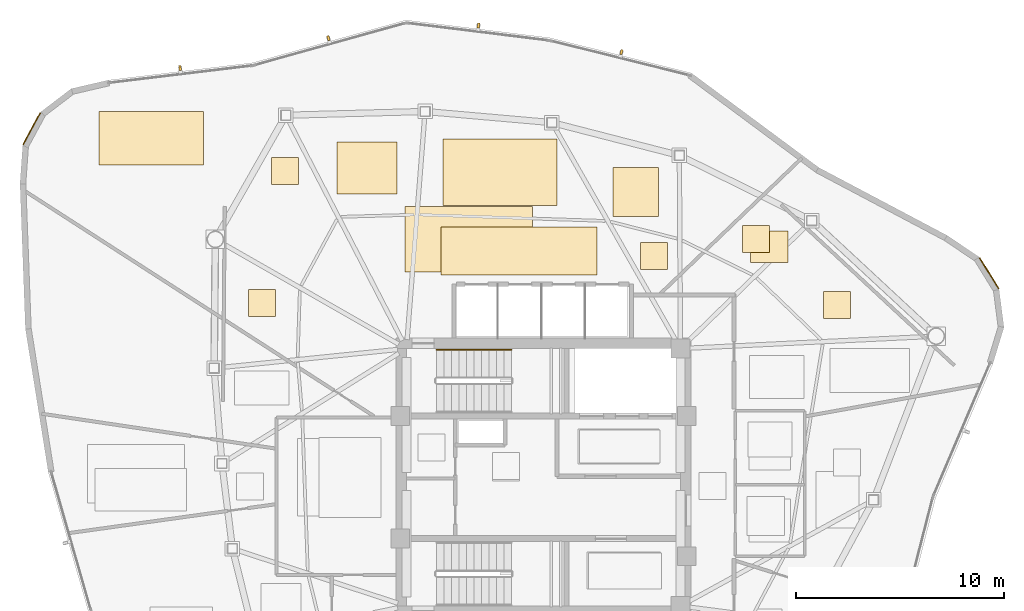
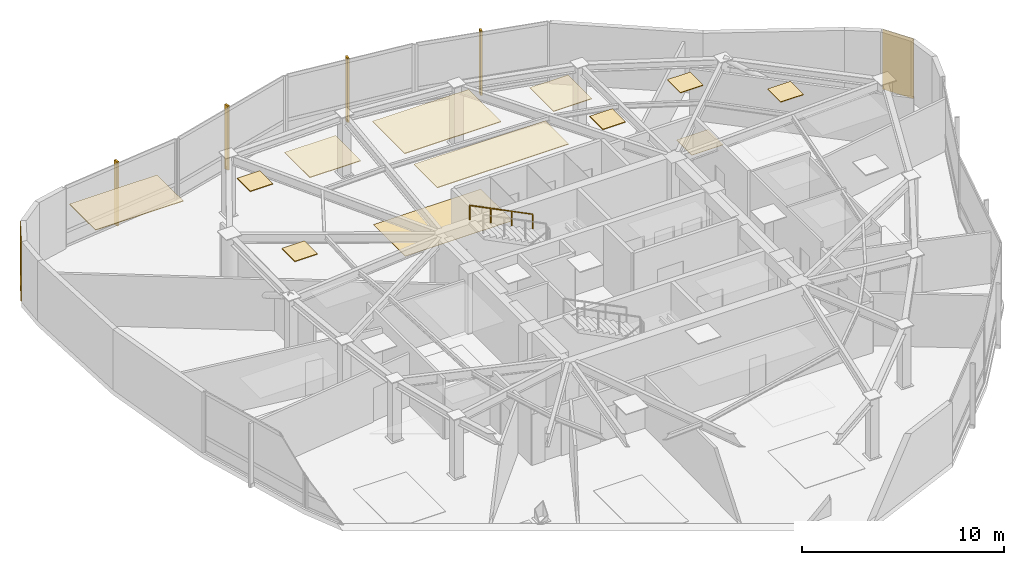
# One storey, part 14 of 14: 14 coverings, 4 shading devices, 1 railing.
"""IFC4 building model written with IfcOpenShell, lengths in metres."""

from ifc_helpers import new_model, si_unit, direction, frame, origin, origin_2d, place, context, subcontext, project, spatial, polyline, rectangle, outline, extrude, source, transform, mapped, material, layer, layer_set, type_object, type_shapes, element, save


model = new_model("IFC4")

# Units and contexts
model_context = context("Model", 3, precision=1e-05, world=origin(), true_north=direction((0.0, 1.0)))
body_context = subcontext(model_context, "Body", "Model", "MODEL_VIEW")
ifc_project = project(units=[si_unit("LENGTHUNIT", "METRE"), si_unit("AREAUNIT", "SQUARE_METRE"), si_unit("VOLUMEUNIT", "CUBIC_METRE"), si_unit("PLANEANGLEUNIT", "RADIAN"), si_unit("MASSUNIT", "GRAM", prefix="KILO")], contexts=[model_context])

# Site, building, storey
site_placement = place(None, origin())
site = spatial("IfcSite", under=ifc_project, at=site_placement, CompositionType="ELEMENT")
building_placement = place(site_placement, origin())
building = spatial("IfcBuilding", under=site, at=building_placement, Name="Tavelor Broadcast Tower", CompositionType="ELEMENT")
storey_placement = place(building_placement, frame((0.0, 0.0, 249.800048828125)))
storey = spatial("IfcBuildingStorey", under=building, at=storey_placement, Name="L59", CompositionType="ELEMENT", Elevation=249.800048828125)

# Coverings
ifc_material_1 = material(Name="Copper-Bronze Anodized Aluminium", Category="aluminium")
ifc_layer_1 = layer(ifc_material_1, 0.050048828125)
ifc_layer_set_1 = layer_set([ifc_layer_1], Name="Copper-Bronze Anodized Aluminium")
covering_type_1 = type_object("IfcCoveringType", Name="Champagne-Bronze Corner Pier Metal Cladding 50 mm", PredefinedType="CLADDING", material=ifc_layer_set_1)
covering_1_placement = place(storey_placement, frame((25.35302734375, 61.79345703125, 0.02001953125), z_axis=(0.0, 0.0, 1.0), x_axis=(-0.474856389871, -0.880063298291, 0.0)))
element("IfcCovering", 1, at=covering_1_placement, inside=storey, type_object=covering_type_1, Name="L59 Champagne-Bronze Corner Cladding 03", PredefinedType="CLADDING", context=body_context, shape_type="SweptSolid", body=[
    extrude(rectangle(XDim=1.7392578125, YDim=0.050048828125, at=origin_2d()), origin(), (0.0, 0.0, 1.0), 3.610107421875),
])
covering_2_placement = place(storey_placement, frame((71.467041015625, 54.830322265625, 0.02001953125), z_axis=(0.0, 0.0, 1.0), x_axis=(-0.524728978323, 0.851269345923, 0.0)))
element("IfcCovering", 2, at=covering_2_placement, inside=storey, type_object=covering_type_1, Name="L59 Champagne-Bronze Corner Cladding 23", PredefinedType="CLADDING", context=body_context, shape_type="SweptSolid", body=[
    extrude(rectangle(XDim=1.739013671875, YDim=0.050048828125, at=origin_2d()), origin(), (0.0, 0.0, 1.0), 3.610107421875),
])

# Railing
ifc_material_2 = material(Name="Steel S355", Category="steel")
railing_type = type_object("IfcRailingType", Name="Continuous Brushed Stainless Handrail 900 mm", PredefinedType="HANDRAIL", material=ifc_material_2)
railing_placement = place(storey_placement, frame((48.449951171875, 51.14990234375, 2.154541015625)))
element("IfcRailing", 3, at=railing_placement, inside=storey, type_object=railing_type, Name="L59 ST1 stair handrail 2", PredefinedType="HANDRAIL", context=body_context, shape_type="SweptSolid", body=[
    extrude(rectangle(XDim=0.048095703125, YDim=0.048095703125, at=origin_2d()), frame((0.0, 0.0, 0.8759765625), z_axis=(-0.894875846893, 0.0, 0.446315156192), x_axis=(0.0, -1.0, 0.0)), (0.0, 0.0, 1.0), 4.022705078125),
    extrude(rectangle(XDim=0.0419921875, YDim=0.0419921875, at=origin_2d()), origin(), (0.0, 0.0, 1.0), 0.851806640625),
    extrude(rectangle(XDim=0.0419921875, YDim=0.0419921875, at=origin_2d()), frame((-1.199951171875, 0.0, 0.598388671875)), (0.0, 0.0, 1.0), 0.851806640625),
    extrude(rectangle(XDim=0.0419921875, YDim=0.0419921875, at=origin_2d()), frame((-2.39990234375, 0.0, 1.197021484375)), (0.0, 0.0, 1.0), 0.851806640625),
    extrude(rectangle(XDim=0.0419921875, YDim=0.0419921875, at=origin_2d()), frame((-3.599853515625, 0.0, 1.79541015625)), (0.0, 0.0, 1.0), 0.851806640625),
])

# Coverings
ifc_material_3 = material(Name="Acoustic Nylon Carpet Tile")
ifc_layer_2 = layer(ifc_material_3, 0.02001953125)
ifc_layer_set_2 = layer_set([ifc_layer_2], Name="Acoustic Nylon Carpet Tile")
covering_type_2 = type_object("IfcCoveringType", Name="Heavy-Duty Acoustic Broadcast Carpet Tile 20 mm", PredefinedType="FLOORING", material=ifc_layer_set_2)
covering_3_placement = place(storey_placement, origin())
element("IfcCovering", 4, at=covering_3_placement, inside=storey, type_object=covering_type_2, Name="L59 Broadcast Floor Finish 0874", PredefinedType="FLOORING", context=body_context, shape_type="SweptSolid", body=[
    extrude(outline(polyline([(43.328857421875, 54.8994140625), (49.46923828125, 54.8994140625), (49.46923828125, 58.0419921875), (43.328857421875, 58.0419921875), (43.328857421875, 54.8994140625)])), origin(), (0.0, 0.0, 1.0), 0.02001953125),
])
covering_4_placement = place(storey_placement, origin())
element("IfcCovering", 5, at=covering_4_placement, inside=storey, type_object=covering_type_2, Name="L59 Broadcast Floor Finish 0875", PredefinedType="FLOORING", context=body_context, shape_type="SweptSolid", body=[
    extrude(outline(polyline([(59.9755859375, 55.354248046875), (61.781982421875, 55.354248046875), (61.781982421875, 56.871337890625), (59.9755859375, 56.871337890625), (59.9755859375, 55.354248046875)])), origin(), (0.0, 0.0, 1.0), 0.02001953125),
])
ifc_material_4 = material(Name="Acoustic Mineral Fibre Tile")
ifc_layer_3 = layer(ifc_material_4, 0.0400390625)
ifc_layer_set_3 = layer_set([ifc_layer_3], Name="Acoustic Mineral Fibre Tile")
covering_type_3 = type_object("IfcCoveringType", Name="Suspended Acoustic Mineral-Fibre Office Ceiling 40 mm", PredefinedType="CEILING", material=ifc_layer_set_3)
covering_5_placement = place(storey_placement, frame((0.0, 0.0, 3.60986328125)))
element("IfcCovering", 6, at=covering_5_placement, inside=storey, type_object=covering_type_3, Name="L59 Suspended Acoustic Ceiling 2324", PredefinedType="CEILING", context=body_context, shape_type="SweptSolid", body=[
    extrude(outline(polyline([(28.59765625, 60.037109375), (33.613525390625, 60.037109375), (33.613525390625, 62.622314453125), (28.59765625, 62.622314453125), (28.59765625, 60.037109375)])), origin(), (0.0, 0.0, 1.0), 0.0400390625),
])
covering_6_placement = place(storey_placement, frame((0.0, 0.0, 3.60986328125)))
element("IfcCovering", 7, at=covering_6_placement, inside=storey, type_object=covering_type_3, Name="L59 Suspended Acoustic Ceiling 2325", PredefinedType="CEILING", context=body_context, shape_type="SweptSolid", body=[
    extrude(outline(polyline([(54.68359375, 54.99951171875), (55.983642578125, 54.99951171875), (55.983642578125, 56.29931640625), (54.68359375, 56.29931640625), (54.68359375, 54.99951171875)])), origin(), (0.0, 0.0, 1.0), 0.0400390625),
])
covering_7_placement = place(storey_placement, frame((0.0, 0.0, 3.60986328125)))
element("IfcCovering", 8, at=covering_7_placement, inside=storey, type_object=covering_type_3, Name="L59 Suspended Acoustic Ceiling 2326", PredefinedType="CEILING", context=body_context, shape_type="SweptSolid", body=[
    extrude(outline(polyline([(45.0771484375, 54.745849609375), (52.59130859375, 54.745849609375), (52.59130859375, 57.0673828125), (45.0771484375, 57.0673828125), (45.0771484375, 54.745849609375)])), origin(), (0.0, 0.0, 1.0), 0.0400390625),
])
covering_8_placement = place(storey_placement, frame((0.0, 0.0, 3.60986328125)))
element("IfcCovering", 9, at=covering_8_placement, inside=storey, type_object=covering_type_3, Name="L59 Suspended Acoustic Ceiling 2327", PredefinedType="CEILING", context=body_context, shape_type="SweptSolid", body=[
    extrude(outline(polyline([(35.7841796875, 52.7509765625), (37.084228515625, 52.7509765625), (37.084228515625, 54.05078125), (35.7841796875, 54.05078125), (35.7841796875, 52.7509765625)])), origin(), (0.0, 0.0, 1.0), 0.0400390625),
])
covering_9_placement = place(storey_placement, frame((0.0, 0.0, 3.60986328125)))
element("IfcCovering", 10, at=covering_9_placement, inside=storey, type_object=covering_type_3, Name="L59 Suspended Acoustic Ceiling 2328", PredefinedType="CEILING", context=body_context, shape_type="SweptSolid", body=[
    extrude(outline(polyline([(36.900390625, 59.094482421875), (38.2001953125, 59.094482421875), (38.2001953125, 60.39453125), (36.900390625, 60.39453125), (36.900390625, 59.094482421875)])), origin(), (0.0, 0.0, 1.0), 0.0400390625),
])
covering_10_placement = place(storey_placement, frame((0.0, 0.0, 3.60986328125)))
element("IfcCovering", 11, at=covering_10_placement, inside=storey, type_object=covering_type_3, Name="L59 Suspended Acoustic Ceiling 2329", PredefinedType="CEILING", context=body_context, shape_type="SweptSolid", body=[
    extrude(outline(polyline([(53.34716796875, 57.56591796875), (55.541259765625, 57.56591796875), (55.541259765625, 59.923583984375), (53.34716796875, 59.923583984375), (53.34716796875, 57.56591796875)])), origin(), (0.0, 0.0, 1.0), 0.0400390625),
])
covering_11_placement = place(storey_placement, frame((0.0, 0.0, 3.60986328125)))
element("IfcCovering", 12, at=covering_11_placement, inside=storey, type_object=covering_type_3, Name="L59 Suspended Acoustic Ceiling 2330", PredefinedType="CEILING", context=body_context, shape_type="SweptSolid", body=[
    extrude(outline(polyline([(45.152587890625, 58.102783203125), (50.654541015625, 58.102783203125), (50.654541015625, 61.3037109375), (45.152587890625, 61.3037109375), (45.152587890625, 58.102783203125)])), origin(), (0.0, 0.0, 1.0), 0.0400390625),
])
covering_12_placement = place(storey_placement, frame((0.0, 0.0, 3.60986328125)))
element("IfcCovering", 13, at=covering_12_placement, inside=storey, type_object=covering_type_3, Name="L59 Suspended Acoustic Ceiling 2331", PredefinedType="CEILING", context=body_context, shape_type="SweptSolid", body=[
    extrude(outline(polyline([(40.0498046875, 58.655029296875), (42.9560546875, 58.655029296875), (42.9560546875, 61.15478515625), (40.0498046875, 61.15478515625), (40.0498046875, 58.655029296875)])), origin(), (0.0, 0.0, 1.0), 0.0400390625),
])
covering_13_placement = place(storey_placement, frame((0.0, 0.0, 3.60986328125)))
element("IfcCovering", 14, at=covering_13_placement, inside=storey, type_object=covering_type_3, Name="L59 Suspended Acoustic Ceiling 2332", PredefinedType="CEILING", context=body_context, shape_type="SweptSolid", body=[
    extrude(outline(polyline([(59.59033203125, 55.8173828125), (60.890380859375, 55.8173828125), (60.890380859375, 57.1171875), (59.59033203125, 57.1171875), (59.59033203125, 55.8173828125)])), origin(), (0.0, 0.0, 1.0), 0.0400390625),
])
covering_14_placement = place(storey_placement, frame((0.0, 0.0, 3.60986328125)))
element("IfcCovering", 15, at=covering_14_placement, inside=storey, type_object=covering_type_3, Name="L59 Suspended Acoustic Ceiling 2333", PredefinedType="CEILING", context=body_context, shape_type="SweptSolid", body=[
    extrude(outline(polyline([(63.491455078125, 52.640869140625), (64.79150390625, 52.640869140625), (64.79150390625, 53.94091796875), (63.491455078125, 53.94091796875), (63.491455078125, 52.640869140625)])), origin(), (0.0, 0.0, 1.0), 0.0400390625),
])

# Shading devices
ifc_material_5 = material(Name="Kiln-Fired Glazed Terracotta", Category="masonry")
shading_device_type = type_object("IfcShadingDeviceType", Name="Extruded Terracotta Baguette Sun-Screen 110x240", PredefinedType="JALOUSIE", material=ifc_material_5)
shared_shape = source(origin(), body_context, "Body", "SweptSolid", [
    extrude(rectangle(XDim=0.110107421875, YDim=0.239990234375, at=origin_2d()), origin(), (0.0, 0.0, 1.0), 3.889892578125),
])
type_shapes(shading_device_type, [shared_shape])
for number, where, z_axis, x_axis, name in (
    (16, (53.759033203125, 65.481689453125, -0.259765625), (0.0, 0.0, 1.0), (-0.970380113833, 0.241583183765, 0.0), "L59 Terracotta Baguette Fin 621"),
    (17, (46.86962890625, 66.75830078125, -0.259765625), (0.0, 0.0, 1.0), (-0.992503550747, 0.12221579994, 0.0), "L59 Terracotta Baguette Fin 622"),
    (18, (39.641845703125, 66.15380859375, -0.259765625), (0.0, 0.0, 1.0), (-0.963350073517, -0.268247340815, 0.0), "L59 Terracotta Baguette Fin 623"),
    (19, (32.499267578125, 64.711669921875, -0.259765625), (0.0, 0.0, 1.0), (-0.992799217114, -0.119790293837, 0.0), "L59 Terracotta Baguette Fin 624"),
):
    element("IfcShadingDevice", number, at=place(storey_placement, frame(where, z_axis=z_axis, x_axis=x_axis)), inside=storey, type_object=shading_device_type, Name=name, PredefinedType="JALOUSIE", context=body_context, shape_type="MappedRepresentation", body=[
        mapped(shared_shape, transform((0.0, 0.0, 0.0), scale=1.0)),
    ])

save(model, "model.ifc")
